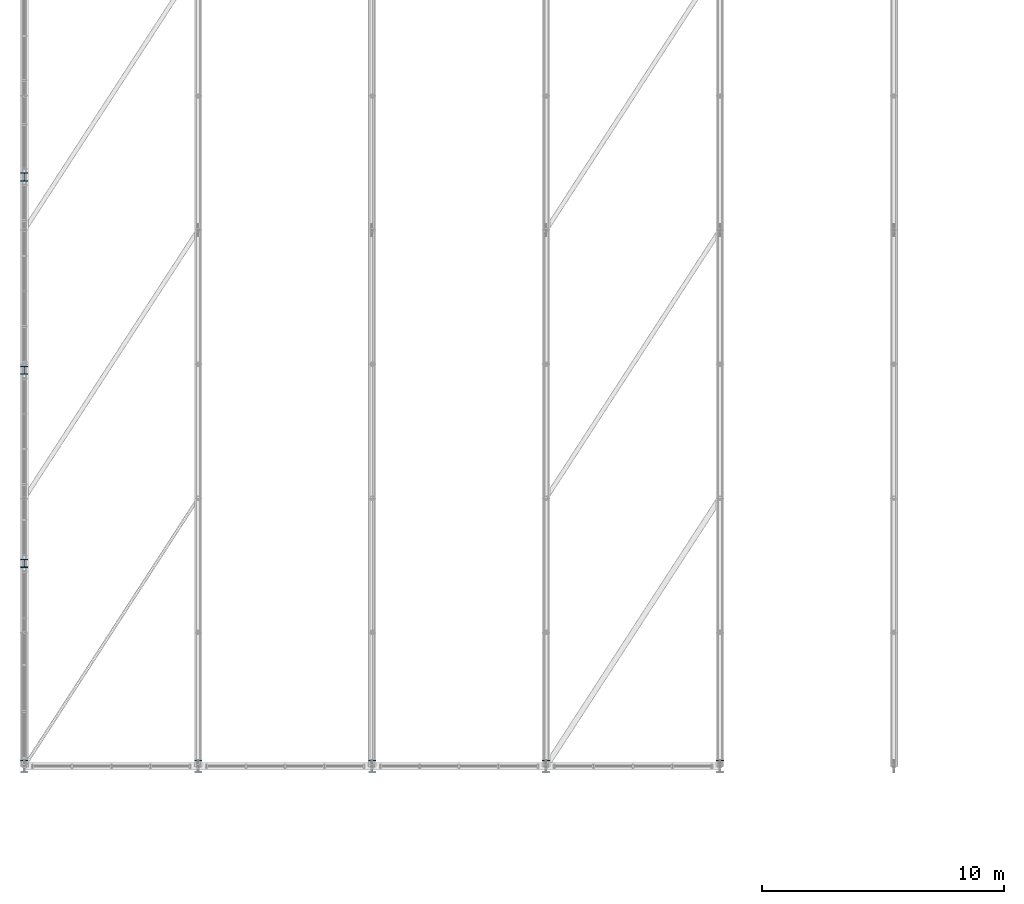
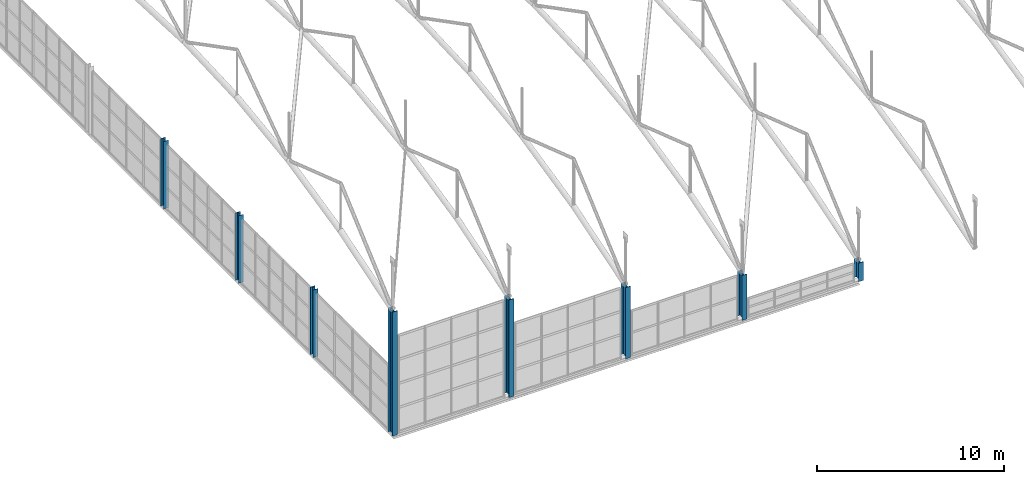
# One storey, part 1 of 153: 8 columns.
"""IFC4 building model written with IfcOpenShell, lengths in metres."""

import ifcopenshell
import ifcopenshell.guid

model = None  # the IFC model being written
_history = None  # IfcOwnerHistory: only IFC2X3 demands one
_inside = {}  # id of a spatial element -> (the spatial element, [elements in it])
_under = {}  # id of a project, library or spatial element -> (it, [spatial elements below it])
_declared = {}  # id of a project -> (the project, [libraries it declares])
_typed = {}  # id of a type object -> (the type object, [elements of that type])
_made_of = {}  # id of a material, layer set ... -> (it, [elements and type objects made of it])


def new_model(schema):
    """Start an empty IFC model of exactly this schema.

    Asked for "IFC4X3", IfcOpenShell would pick the latest addendum, in which some entities
    have other attributes; the version numbers below select the first issue.
    IFC2X3 requires an IfcOwnerHistory on every rooted entity: one is made here for all.
    """
    global model, _history
    if schema == "IFC4X3":
        model = ifcopenshell.file(schema_version=(4, 3, 0, 0))
    else:
        model = ifcopenshell.file(schema=schema)
    _inside.clear()
    _under.clear()
    _declared.clear()
    _typed.clear()
    _made_of.clear()
    _history = None
    if model.schema == "IFC2X3":
        org = make("IfcOrganization", Name="unknown")
        user = make(
            "IfcPersonAndOrganization",
            ThePerson=make("IfcPerson", FamilyName="unknown"),
            TheOrganization=org,
        )
        app = make(
            "IfcApplication",
            ApplicationDeveloper=org,
            Version="unknown",
            ApplicationFullName="unknown",
            ApplicationIdentifier="unknown",
        )
        _history = make(
            "IfcOwnerHistory",
            OwningUser=user,
            OwningApplication=app,
            ChangeAction="ADDED",
            CreationDate=0,
        )
    return model


def make(cls, **values):
    """One entity of the class cls with the attributes given. An attribute that is None is left unset."""
    return model.create_entity(
        cls, **{name: value for name, value in values.items() if value is not None}
    )


def rooted(cls, **values):
    """An entity with a GlobalId (a new one), such as an element, a storey or a relation."""
    return make(cls, GlobalId=ifcopenshell.guid.new(), OwnerHistory=_history, **values)


def si_unit(unit_type, name, prefix=None):
    """IfcSIUnit, for example si_unit("LENGTHUNIT", "METRE", prefix="MILLI")."""
    return make("IfcSIUnit", UnitType=unit_type, Prefix=prefix, Name=name)


def derived_unit(unit_type, elements):
    """IfcDerivedUnit: a product of units, each with its exponent."""
    return make(
        "IfcDerivedUnit",
        Elements=[
            make("IfcDerivedUnitElement", Unit=unit, Exponent=power)
            for unit, power in elements
        ],
        UnitType=unit_type,
    )


def assignment(units):
    """IfcUnitAssignment: the units of a project."""
    return None if units is None else make("IfcUnitAssignment", Units=units)


def point(xyz):
    """IfcCartesianPoint."""
    return None if xyz is None else make("IfcCartesianPoint", Coordinates=xyz)


def direction(xyz):
    """IfcDirection."""
    return None if xyz is None else make("IfcDirection", DirectionRatios=xyz)


def frame(location, z_axis=None, x_axis=None):
    """IfcAxis2Placement3D, a coordinate frame: its origin and axes. An axis left out is left unset."""
    return make(
        "IfcAxis2Placement3D",
        Location=point(location),
        Axis=direction(z_axis),
        RefDirection=direction(x_axis),
    )


def frame_2d(location, x_axis=None):
    """IfcAxis2Placement2D, a coordinate frame in the plane: its origin and x axis."""
    return make(
        "IfcAxis2Placement2D", Location=point(location), RefDirection=direction(x_axis)
    )


def origin():
    """The frame at (0, 0, 0) with its axes left unset."""
    return frame((0.0, 0.0, 0.0))


def origin_2d():
    """The frame at (0, 0) in the plane with its x axis left unset."""
    return frame_2d((0.0, 0.0))


def place(relative_to, where):
    """IfcLocalPlacement: puts the frame where relative to a parent placement (None: the world)."""
    return make(
        "IfcLocalPlacement", PlacementRelTo=relative_to, RelativePlacement=where
    )


def context(
    kind, dimensions, precision=None, world=None, true_north=None, identifier=None
):
    """IfcGeometricRepresentationContext, for example the 3D "Model" context."""
    return make(
        "IfcGeometricRepresentationContext",
        ContextIdentifier=identifier,
        ContextType=kind,
        CoordinateSpaceDimension=dimensions,
        Precision=precision,
        WorldCoordinateSystem=world,
        TrueNorth=true_north,
    )


def subcontext(parent, identifier, kind, view, scale=None):
    """IfcGeometricRepresentationSubContext, for example "Body" below "Model"."""
    return make(
        "IfcGeometricRepresentationSubContext",
        ContextIdentifier=identifier,
        ContextType=kind,
        ParentContext=parent,
        TargetScale=scale,
        TargetView=view,
    )


def project(units=None, contexts=None):
    """IfcProject with its units and contexts."""
    return rooted(
        "IfcProject",
        Name="project",
        RepresentationContexts=contexts,
        UnitsInContext=assignment(units),
    )


def spatial(cls, under=None, at=None, **own):
    """A site, building, storey or space (cls), placed at a placement, below another one or the project."""
    s = rooted(cls, ObjectPlacement=at, **own)
    if under is not None:
        _under.setdefault(under.id(), (under, []))[1].append(s)
    return s


def profile(cls, at=None, kind="AREA", **sizes):
    """A parametric profile (cls). Its sizes go by their IFC names, for example OverallWidth=200.0."""
    return make(cls, ProfileType=kind, Position=at, **sizes)


def i_section(**sizes):
    """IfcIShapeProfileDef."""
    return profile("IfcIShapeProfileDef", **sizes)


def extrude(swept, where, along, depth):
    """IfcExtrudedAreaSolid: the profile swept, set in the frame where, extruded along a direction by depth."""
    return make(
        "IfcExtrudedAreaSolid",
        SweptArea=swept,
        Position=where,
        ExtrudedDirection=direction(along),
        Depth=depth,
    )


def shape(context_of_items, identifier, shape_type, items):
    """IfcShapeRepresentation: the items that make up one representation, for example the "Body"."""
    return make(
        "IfcShapeRepresentation",
        ContextOfItems=context_of_items,
        RepresentationIdentifier=identifier,
        RepresentationType=shape_type,
        Items=items,
    )


def material(Name=None, Category=None):
    """IfcMaterial."""
    return make("IfcMaterial", Name=Name, Category=Category)


def material_profile(
    of_material, cross_section, Name=None, Category=None, Priority=None
):
    """IfcMaterialProfile: a cross section and its material."""
    return make(
        "IfcMaterialProfile",
        Name=Name,
        Material=of_material,
        Profile=cross_section,
        Priority=Priority,
        Category=Category,
    )


def profile_set(profiles, Name=None, composite=None):
    """IfcMaterialProfileSet."""
    return make(
        "IfcMaterialProfileSet",
        Name=Name,
        MaterialProfiles=profiles,
        CompositeProfile=composite,
    )


def made_of(thing, what):
    """Note that an element or type object is made of a material, layer set ...; save() writes the relation."""
    if what is not None:
        _made_of.setdefault(what.id(), (what, []))[1].append(thing)
    return thing


def type_object(cls, material=None, **own):
    """A type object (cls), such as IfcWallType, which elements share."""
    return made_of(rooted(cls, **own), material)


def element(
    cls,
    number,
    at=None,
    inside=None,
    cuts=None,
    type_object=None,
    material=None,
    context=None,
    identifier="Body",
    shape_type=None,
    held_by="IfcProductDefinitionShape",
    body=None,
    shapes=None,
    **own,
):
    """One element of the class cls, such as IfcWall. Its Tag is "e" and its number.

    at: its placement. inside: the storey or other place that contains it. cuts: it is an
    opening in that element (IfcRelVoidsElement). A single representation is given by context,
    identifier, shape_type and body (its items); several are given by shapes. held_by: the class
    of the entity that holds the representations. save() writes the other relations.
    """
    e = rooted(cls, Tag="e%d" % number, ObjectPlacement=at, **own)
    if body is not None:
        shapes = [shape(context, identifier, shape_type, body)]
    if shapes is not None:
        e.Representation = make(held_by, Representations=shapes)
    if inside is not None:
        _inside.setdefault(inside.id(), (inside, []))[1].append(e)
    if cuts is not None:
        rooted(
            "IfcRelVoidsElement", RelatingBuildingElement=cuts, RelatedOpeningElement=e
        )
    if type_object is not None:
        _typed.setdefault(type_object.id(), (type_object, []))[1].append(e)
    return made_of(e, material)


def aggregate(whole, parts):
    """IfcRelAggregates: a whole, such as a stair, and the parts it consists of."""
    return rooted("IfcRelAggregates", RelatingObject=whole, RelatedObjects=parts)


def save(model, path):
    """Write the relations noted so far, then the file.

    IfcRelAggregates (storeys below a building ...), IfcRelContainedInSpatialStructure (elements
    in a storey), IfcRelDefinesByType, IfcRelAssociatesMaterial and IfcRelDeclares: one each for
    every whole, place, type object, material and project.
    """
    for whole, parts in _under.values():
        aggregate(whole, parts)
    for where, things in _inside.values():
        rooted(
            "IfcRelContainedInSpatialStructure",
            RelatedElements=things,
            RelatingStructure=where,
        )
    for kind, things in _typed.values():
        rooted("IfcRelDefinesByType", RelatedObjects=things, RelatingType=kind)
    for what, things in _made_of.values():
        rooted("IfcRelAssociatesMaterial", RelatedObjects=things, RelatingMaterial=what)
    for by, libraries in _declared.values():
        rooted("IfcRelDeclares", RelatingContext=by, RelatedDefinitions=libraries)
    model.write(path)


model = new_model("IFC4")

# Units and contexts
model_context = context("Model", 3, precision=1e-05, world=origin(), true_north=direction((0.0, 1.0)))
body_context = subcontext(model_context, "Body", "Model", "MODEL_VIEW")
ifc_project = project(units=[si_unit("LENGTHUNIT", "METRE"), si_unit("AREAUNIT", "SQUARE_METRE"), si_unit("VOLUMEUNIT", "CUBIC_METRE"), si_unit("PLANEANGLEUNIT", "RADIAN"), si_unit("MASSUNIT", "GRAM", prefix="KILO"), derived_unit("THERMALTRANSMITTANCEUNIT", [(si_unit("POWERUNIT", "WATT"), 1), (si_unit("LENGTHUNIT", "METRE"), -2), (si_unit("THERMODYNAMICTEMPERATUREUNIT", "KELVIN"), -1)])], contexts=[model_context])

# Site, building, storey
site_placement = place(None, origin())
site = spatial("IfcSite", under=ifc_project, at=site_placement, CompositionType="ELEMENT")
building_placement = place(site_placement, origin())
building = spatial("IfcBuilding", under=site, at=building_placement, Name="Keldorne Ridge Multi-Sports Centre", CompositionType="ELEMENT")
storey_placement = place(building_placement, frame((0.0, 0.0, 9.60009765625)))
storey = spatial("IfcBuildingStorey", under=building, at=storey_placement, Name="L02", CompositionType="ELEMENT", Elevation=9.60009765625)

# Columns
ifc_material = material(Name="Steel S355", Category="steel")
ifc_material_profile_1 = material_profile(ifc_material, i_section(OverallWidth=0.300048828125, OverallDepth=0.5, WebThickness=0.014404296875, FlangeThickness=0.028076171875, FilletRadius=0.027099609375, at=origin_2d()), Name="HEB 500")
ifc_profile_set_1 = profile_set([ifc_material_profile_1], Name="Steel S355")
column_type_1 = type_object("IfcColumnType", Name="COL-C-05", PredefinedType="COLUMN", material=ifc_profile_set_1)
column_1_placement = place(storey_placement, frame((6.0, 9.60009765625, 0.0), z_axis=(0.0, 0.0, 1.0), x_axis=(1.0, 0.0, 0.0)))
element("IfcColumn", 1, at=column_1_placement, inside=storey, type_object=column_type_1, Name="Structural column V1-HALL-S-01 on L02", PredefinedType="COLUMN", context=body_context, shape_type="SweptSolid", body=[
    extrude(i_section(OverallWidth=0.300048828125, OverallDepth=0.5, WebThickness=0.014404296875, FlangeThickness=0.028076171875, FilletRadius=0.027099609375, at=origin_2d()), origin(), (0.0, 0.0, 1.0), 8.099853515625),
])
column_2_placement = place(storey_placement, frame((13.199951171875, 9.60009765625, 0.0), z_axis=(0.0, 0.0, 1.0), x_axis=(1.0, 0.0, 0.0)))
element("IfcColumn", 2, at=column_2_placement, inside=storey, type_object=column_type_1, Name="Structural column V1-HALL-S-02 on L02", PredefinedType="COLUMN", context=body_context, shape_type="SweptSolid", body=[
    extrude(i_section(OverallWidth=0.300048828125, OverallDepth=0.5, WebThickness=0.014404296875, FlangeThickness=0.028076171875, FilletRadius=0.027099609375, at=origin_2d()), origin(), (0.0, 0.0, 1.0), 6.3798828125),
])
column_3_placement = place(storey_placement, frame((20.39990234375, 9.60009765625, 0.0), z_axis=(0.0, 0.0, 1.0), x_axis=(1.0, 0.0, 0.0)))
element("IfcColumn", 3, at=column_3_placement, inside=storey, type_object=column_type_1, Name="Structural column V1-HALL-S-03 on L02", PredefinedType="COLUMN", context=body_context, shape_type="SweptSolid", body=[
    extrude(i_section(OverallWidth=0.300048828125, OverallDepth=0.5, WebThickness=0.014404296875, FlangeThickness=0.028076171875, FilletRadius=0.027099609375, at=origin_2d()), origin(), (0.0, 0.0, 1.0), 4.659912109375),
])
column_4_placement = place(storey_placement, frame((27.60009765625, 9.60009765625, 0.0), z_axis=(0.0, 0.0, 1.0), x_axis=(1.0, 0.0, 0.0)))
element("IfcColumn", 4, at=column_4_placement, inside=storey, type_object=column_type_1, Name="Structural column V1-HALL-S-04 on L02", PredefinedType="COLUMN", context=body_context, shape_type="SweptSolid", body=[
    extrude(i_section(OverallWidth=0.300048828125, OverallDepth=0.5, WebThickness=0.014404296875, FlangeThickness=0.028076171875, FilletRadius=0.027099609375, at=origin_2d()), origin(), (0.0, 0.0, 1.0), 2.93994140625),
])
column_5_placement = place(storey_placement, frame((34.800048828125, 9.60009765625, 0.0), z_axis=(0.0, 0.0, 1.0), x_axis=(1.0, 0.0, 0.0)))
element("IfcColumn", 5, at=column_5_placement, inside=storey, type_object=column_type_1, Name="Structural column V1-HALL-S-05 on L02", PredefinedType="COLUMN", context=body_context, shape_type="SweptSolid", body=[
    extrude(i_section(OverallWidth=0.300048828125, OverallDepth=0.5, WebThickness=0.014404296875, FlangeThickness=0.028076171875, FilletRadius=0.027099609375, at=origin_2d()), origin(), (0.0, 0.0, 1.0), 1.219970703125),
])
ifc_material_profile_2 = material_profile(ifc_material, i_section(OverallWidth=0.300048828125, OverallDepth=0.340087890625, WebThickness=0.011962890625, FlangeThickness=0.021484375, FilletRadius=0.027099609375, at=origin_2d()), Name="HEB 340")
ifc_profile_set_2 = profile_set([ifc_material_profile_2], Name="Steel S355")
column_type_2 = type_object("IfcColumnType", Name="COL-C-11", PredefinedType="COLUMN", material=ifc_profile_set_2)
for number, where, z_axis, x_axis, name in (
    (6, (6.0, 18.0, 0.0), (0.0, 0.0, 1.0), (1.0, 0.0, 0.0), "Structural column V1-GABLE-W-01 on L02"),
    (7, (6.0, 26.0, 0.0), (0.0, 0.0, 1.0), (1.0, 0.0, 0.0), "Structural column V1-GABLE-W-02 on L02"),
    (8, (6.0, 34.0, 0.0), (0.0, 0.0, 1.0), (1.0, 0.0, 0.0), "Structural column V1-GABLE-W-03 on L02"),
):
    element("IfcColumn", number, at=place(storey_placement, frame(where, z_axis=z_axis, x_axis=x_axis)), inside=storey, type_object=column_type_2, Name=name, PredefinedType="COLUMN", context=body_context, shape_type="SweptSolid", body=[
        extrude(i_section(OverallWidth=0.300048828125, OverallDepth=0.340087890625, WebThickness=0.011962890625, FlangeThickness=0.021484375, FilletRadius=0.027099609375, at=origin_2d()), origin(), (0.0, 0.0, 1.0), 4.39990234375),
    ])

save(model, "model.ifc")
